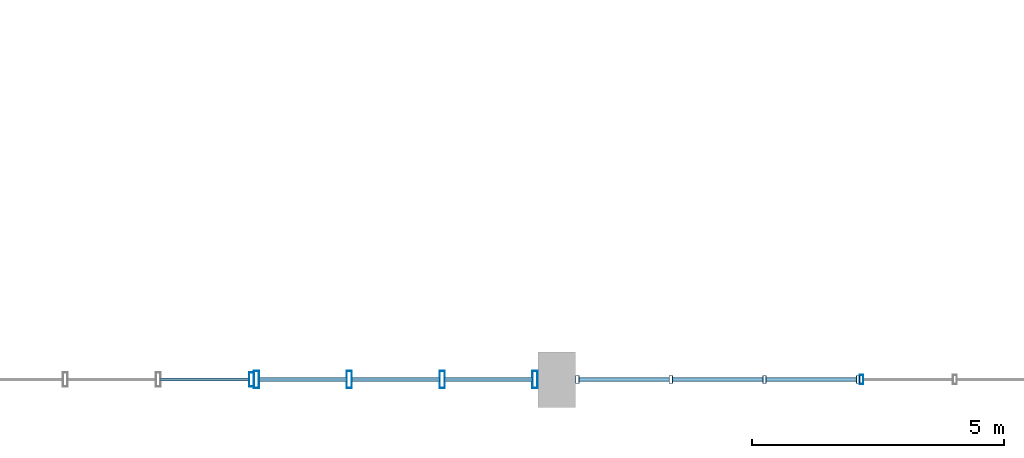
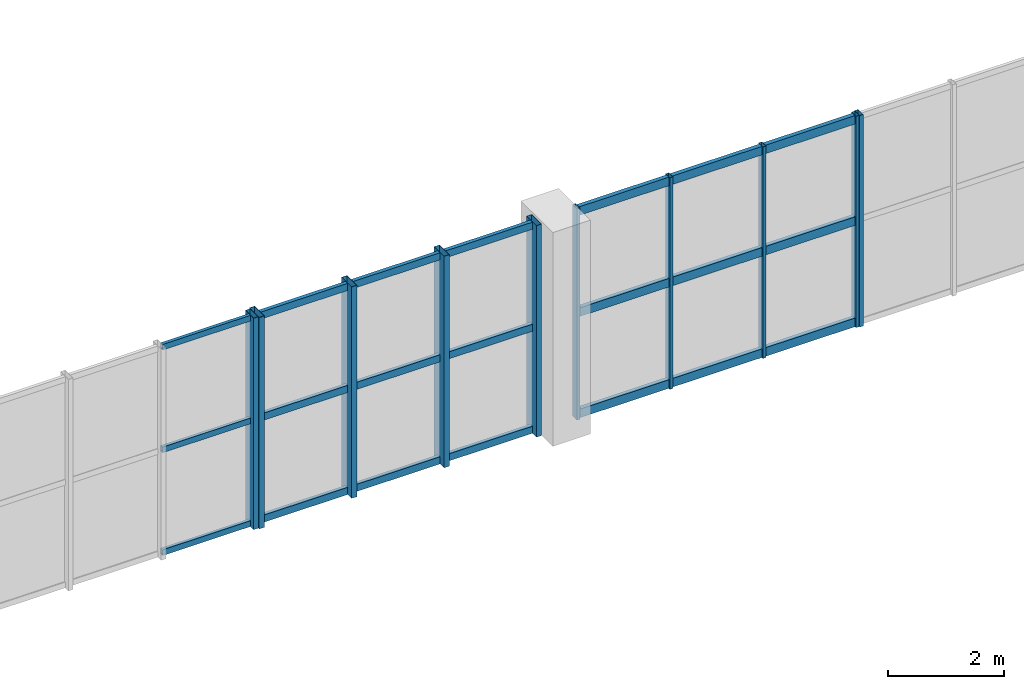
# One storey, part 19 of 48: 31 members, 4 elements without a shape of their own.
"""IFC4 building model written with IfcOpenShell, lengths in metres."""

import ifcopenshell
import ifcopenshell.guid

model = None  # the IFC model being written
_history = None  # IfcOwnerHistory: only IFC2X3 demands one
_inside = {}  # id of a spatial element -> (the spatial element, [elements in it])
_under = {}  # id of a project, library or spatial element -> (it, [spatial elements below it])
_declared = {}  # id of a project -> (the project, [libraries it declares])
_typed = {}  # id of a type object -> (the type object, [elements of that type])
_made_of = {}  # id of a material, layer set ... -> (it, [elements and type objects made of it])


def new_model(schema):
    """Start an empty IFC model of exactly this schema.

    Asked for "IFC4X3", IfcOpenShell would pick the latest addendum, in which some entities
    have other attributes; the version numbers below select the first issue.
    IFC2X3 requires an IfcOwnerHistory on every rooted entity: one is made here for all.
    """
    global model, _history
    if schema == "IFC4X3":
        model = ifcopenshell.file(schema_version=(4, 3, 0, 0))
    else:
        model = ifcopenshell.file(schema=schema)
    _inside.clear()
    _under.clear()
    _declared.clear()
    _typed.clear()
    _made_of.clear()
    _history = None
    if model.schema == "IFC2X3":
        org = make("IfcOrganization", Name="unknown")
        user = make(
            "IfcPersonAndOrganization",
            ThePerson=make("IfcPerson", FamilyName="unknown"),
            TheOrganization=org,
        )
        app = make(
            "IfcApplication",
            ApplicationDeveloper=org,
            Version="unknown",
            ApplicationFullName="unknown",
            ApplicationIdentifier="unknown",
        )
        _history = make(
            "IfcOwnerHistory",
            OwningUser=user,
            OwningApplication=app,
            ChangeAction="ADDED",
            CreationDate=0,
        )
    return model


def make(cls, **values):
    """One entity of the class cls with the attributes given. An attribute that is None is left unset."""
    return model.create_entity(
        cls, **{name: value for name, value in values.items() if value is not None}
    )


def rooted(cls, **values):
    """An entity with a GlobalId (a new one), such as an element, a storey or a relation."""
    return make(cls, GlobalId=ifcopenshell.guid.new(), OwnerHistory=_history, **values)


def si_unit(unit_type, name, prefix=None):
    """IfcSIUnit, for example si_unit("LENGTHUNIT", "METRE", prefix="MILLI")."""
    return make("IfcSIUnit", UnitType=unit_type, Prefix=prefix, Name=name)


def assignment(units):
    """IfcUnitAssignment: the units of a project."""
    return None if units is None else make("IfcUnitAssignment", Units=units)


def point(xyz):
    """IfcCartesianPoint."""
    return None if xyz is None else make("IfcCartesianPoint", Coordinates=xyz)


def direction(xyz):
    """IfcDirection."""
    return None if xyz is None else make("IfcDirection", DirectionRatios=xyz)


def frame(location, z_axis=None, x_axis=None):
    """IfcAxis2Placement3D, a coordinate frame: its origin and axes. An axis left out is left unset."""
    return make(
        "IfcAxis2Placement3D",
        Location=point(location),
        Axis=direction(z_axis),
        RefDirection=direction(x_axis),
    )


def frame_2d(location, x_axis=None):
    """IfcAxis2Placement2D, a coordinate frame in the plane: its origin and x axis."""
    return make(
        "IfcAxis2Placement2D", Location=point(location), RefDirection=direction(x_axis)
    )


def origin():
    """The frame at (0, 0, 0) with its axes left unset."""
    return frame((0.0, 0.0, 0.0))


def origin_2d():
    """The frame at (0, 0) in the plane with its x axis left unset."""
    return frame_2d((0.0, 0.0))


def place(relative_to, where):
    """IfcLocalPlacement: puts the frame where relative to a parent placement (None: the world)."""
    return make(
        "IfcLocalPlacement", PlacementRelTo=relative_to, RelativePlacement=where
    )


def context(
    kind, dimensions, precision=None, world=None, true_north=None, identifier=None
):
    """IfcGeometricRepresentationContext, for example the 3D "Model" context."""
    return make(
        "IfcGeometricRepresentationContext",
        ContextIdentifier=identifier,
        ContextType=kind,
        CoordinateSpaceDimension=dimensions,
        Precision=precision,
        WorldCoordinateSystem=world,
        TrueNorth=true_north,
    )


def subcontext(parent, identifier, kind, view, scale=None):
    """IfcGeometricRepresentationSubContext, for example "Body" below "Model"."""
    return make(
        "IfcGeometricRepresentationSubContext",
        ContextIdentifier=identifier,
        ContextType=kind,
        ParentContext=parent,
        TargetScale=scale,
        TargetView=view,
    )


def project(units=None, contexts=None):
    """IfcProject with its units and contexts."""
    return rooted(
        "IfcProject",
        Name="project",
        RepresentationContexts=contexts,
        UnitsInContext=assignment(units),
    )


def spatial(cls, under=None, at=None, **own):
    """A site, building, storey or space (cls), placed at a placement, below another one or the project."""
    s = rooted(cls, ObjectPlacement=at, **own)
    if under is not None:
        _under.setdefault(under.id(), (under, []))[1].append(s)
    return s


def profile(cls, at=None, kind="AREA", **sizes):
    """A parametric profile (cls). Its sizes go by their IFC names, for example OverallWidth=200.0."""
    return make(cls, ProfileType=kind, Position=at, **sizes)


def hollow_rectangle(**sizes):
    """IfcRectangleHollowProfileDef."""
    return profile("IfcRectangleHollowProfileDef", **sizes)


def extrude(swept, where, along, depth):
    """IfcExtrudedAreaSolid: the profile swept, set in the frame where, extruded along a direction by depth."""
    return make(
        "IfcExtrudedAreaSolid",
        SweptArea=swept,
        Position=where,
        ExtrudedDirection=direction(along),
        Depth=depth,
    )


def shape(context_of_items, identifier, shape_type, items):
    """IfcShapeRepresentation: the items that make up one representation, for example the "Body"."""
    return make(
        "IfcShapeRepresentation",
        ContextOfItems=context_of_items,
        RepresentationIdentifier=identifier,
        RepresentationType=shape_type,
        Items=items,
    )


def material(Name=None, Category=None):
    """IfcMaterial."""
    return make("IfcMaterial", Name=Name, Category=Category)


def layer(
    of_material, thickness, ventilated=None, Name=None, Category=None, Priority=None
):
    """IfcMaterialLayer: one layer of a wall or slab, of a material (None: an air gap)."""
    return make(
        "IfcMaterialLayer",
        Material=of_material,
        LayerThickness=thickness,
        IsVentilated=ventilated,
        Name=Name,
        Category=Category,
        Priority=Priority,
    )


def layer_set(layers, Name=None):
    """IfcMaterialLayerSet."""
    return make("IfcMaterialLayerSet", MaterialLayers=layers, LayerSetName=Name)


def material_profile(
    of_material, cross_section, Name=None, Category=None, Priority=None
):
    """IfcMaterialProfile: a cross section and its material."""
    return make(
        "IfcMaterialProfile",
        Name=Name,
        Material=of_material,
        Profile=cross_section,
        Priority=Priority,
        Category=Category,
    )


def profile_set(profiles, Name=None, composite=None):
    """IfcMaterialProfileSet."""
    return make(
        "IfcMaterialProfileSet",
        Name=Name,
        MaterialProfiles=profiles,
        CompositeProfile=composite,
    )


def made_of(thing, what):
    """Note that an element or type object is made of a material, layer set ...; save() writes the relation."""
    if what is not None:
        _made_of.setdefault(what.id(), (what, []))[1].append(thing)
    return thing


def type_object(cls, material=None, **own):
    """A type object (cls), such as IfcWallType, which elements share."""
    return made_of(rooted(cls, **own), material)


def element(
    cls,
    number,
    at=None,
    inside=None,
    cuts=None,
    type_object=None,
    material=None,
    context=None,
    identifier="Body",
    shape_type=None,
    held_by="IfcProductDefinitionShape",
    body=None,
    shapes=None,
    **own,
):
    """One element of the class cls, such as IfcWall. Its Tag is "e" and its number.

    at: its placement. inside: the storey or other place that contains it. cuts: it is an
    opening in that element (IfcRelVoidsElement). A single representation is given by context,
    identifier, shape_type and body (its items); several are given by shapes. held_by: the class
    of the entity that holds the representations. save() writes the other relations.
    """
    e = rooted(cls, Tag="e%d" % number, ObjectPlacement=at, **own)
    if body is not None:
        shapes = [shape(context, identifier, shape_type, body)]
    if shapes is not None:
        e.Representation = make(held_by, Representations=shapes)
    if inside is not None:
        _inside.setdefault(inside.id(), (inside, []))[1].append(e)
    if cuts is not None:
        rooted(
            "IfcRelVoidsElement", RelatingBuildingElement=cuts, RelatedOpeningElement=e
        )
    if type_object is not None:
        _typed.setdefault(type_object.id(), (type_object, []))[1].append(e)
    return made_of(e, material)


def aggregate(whole, parts):
    """IfcRelAggregates: a whole, such as a stair, and the parts it consists of."""
    return rooted("IfcRelAggregates", RelatingObject=whole, RelatedObjects=parts)


def save(model, path):
    """Write the relations noted so far, then the file.

    IfcRelAggregates (storeys below a building ...), IfcRelContainedInSpatialStructure (elements
    in a storey), IfcRelDefinesByType, IfcRelAssociatesMaterial and IfcRelDeclares: one each for
    every whole, place, type object, material and project.
    """
    for whole, parts in _under.values():
        aggregate(whole, parts)
    for where, things in _inside.values():
        rooted(
            "IfcRelContainedInSpatialStructure",
            RelatedElements=things,
            RelatingStructure=where,
        )
    for kind, things in _typed.values():
        rooted("IfcRelDefinesByType", RelatedObjects=things, RelatingType=kind)
    for what, things in _made_of.values():
        rooted("IfcRelAssociatesMaterial", RelatedObjects=things, RelatingMaterial=what)
    for by, libraries in _declared.values():
        rooted("IfcRelDeclares", RelatingContext=by, RelatedDefinitions=libraries)
    model.write(path)


model = new_model("IFC4")

# Units and contexts
model_context = context("Model", 3, precision=1e-05, world=origin(), true_north=direction((0.0, 1.0)))
body_context = subcontext(model_context, "Body", "Model", "MODEL_VIEW")
ifc_project = project(units=[si_unit("LENGTHUNIT", "METRE"), si_unit("AREAUNIT", "SQUARE_METRE"), si_unit("VOLUMEUNIT", "CUBIC_METRE"), si_unit("PLANEANGLEUNIT", "RADIAN"), si_unit("MASSUNIT", "GRAM", prefix="KILO"), si_unit("POWERUNIT", "WATT"), si_unit("THERMODYNAMICTEMPERATUREUNIT", "KELVIN")], contexts=[model_context])

# Site, building, storey
site_placement = place(None, origin())
site = spatial("IfcSite", under=ifc_project, at=site_placement, CompositionType="ELEMENT")
building_placement = place(site_placement, origin())
building = spatial("IfcBuilding", under=site, at=building_placement, Name="Kelmbourne Parkland Aquatics Centre", CompositionType="ELEMENT")
storey_placement = place(building_placement, frame((0.0, 0.0, 14.699951171875)))
storey = spatial("IfcBuildingStorey", under=building, at=storey_placement, Name="L03", CompositionType="ELEMENT", Elevation=14.699951171875)

# Curtain wall, members
ifc_material = material(Name="Thermally broken anodised aluminium framing", Category="aluminium")
ifc_layer_1 = layer(ifc_material, 0.179931640625)
ifc_layer_set_1 = layer_set([ifc_layer_1], Name="Thermally broken anodised aluminium framing")
curtain_wall_type_1 = type_object("IfcCurtainWallType", Name="CW-05", PredefinedType="NOTDEFINED", material=ifc_layer_set_1)
curtain_wall_1_placement = place(storey_placement, origin())
curtain_wall_1 = element("IfcCurtainWall", 1, at=curtain_wall_1_placement, inside=storey, type_object=curtain_wall_type_1, Name="Wave-hall clerestory curtain wall CW-L03-125", PredefinedType="NOTDEFINED")
ifc_material_profile_1 = material_profile(ifc_material, hollow_rectangle(XDim=0.06494140625, YDim=0.14990234375, WallThickness=0.00390625, at=origin_2d()), Name="CW-M 65x150")
ifc_profile_set_1 = profile_set([ifc_material_profile_1], Name="Thermally broken anodised aluminium framing")
member_type_1 = type_object("IfcMemberType", Name="MB-MUL-1", PredefinedType="MULLION", material=ifc_profile_set_1)
member_1_placement = place(storey_placement, frame((152.409423828125, 0.800048828125, 0.0), z_axis=(0.0, 0.0, 1.0), x_axis=(1.0, 0.0, 0.0)))
member_1 = element("IfcMember", 2, at=member_1_placement, type_object=member_type_1, Name="CW-L03-125 mullion 0", PredefinedType="MULLION", context=body_context, shape_type="SweptSolid", body=[
    extrude(hollow_rectangle(XDim=0.06494140625, YDim=0.14990234375, WallThickness=0.00390625, at=origin_2d()), origin(), (0.0, 0.0, 1.0), 4.449951171875),
])
member_2_placement = place(storey_placement, frame((154.26220703125, 0.800048828125, 0.0), z_axis=(0.0, 0.0, 1.0), x_axis=(1.0, 0.0, 0.0)))
member_2 = element("IfcMember", 3, at=member_2_placement, type_object=member_type_1, Name="CW-L03-125 mullion 1", PredefinedType="MULLION", context=body_context, shape_type="SweptSolid", body=[
    extrude(hollow_rectangle(XDim=0.06494140625, YDim=0.14990234375, WallThickness=0.00390625, at=origin_2d()), origin(), (0.0, 0.0, 1.0), 4.449951171875),
])
member_3_placement = place(storey_placement, frame((156.11474609375, 0.800048828125, 0.0), z_axis=(0.0, 0.0, 1.0), x_axis=(1.0, 0.0, 0.0)))
member_3 = element("IfcMember", 4, at=member_3_placement, type_object=member_type_1, Name="CW-L03-125 mullion 2", PredefinedType="MULLION", context=body_context, shape_type="SweptSolid", body=[
    extrude(hollow_rectangle(XDim=0.06494140625, YDim=0.14990234375, WallThickness=0.00390625, at=origin_2d()), origin(), (0.0, 0.0, 1.0), 4.449951171875),
])
member_4_placement = place(storey_placement, frame((157.967529296875, 0.800048828125, 0.0), z_axis=(0.0, 0.0, 1.0), x_axis=(1.0, 0.0, 0.0)))
member_4 = element("IfcMember", 5, at=member_4_placement, type_object=member_type_1, Name="CW-L03-125 mullion 3", PredefinedType="MULLION", context=body_context, shape_type="SweptSolid", body=[
    extrude(hollow_rectangle(XDim=0.06494140625, YDim=0.14990234375, WallThickness=0.00390625, at=origin_2d()), origin(), (0.0, 0.0, 1.0), 4.449951171875),
])

# Curtain wall, member
ifc_layer_2 = layer(ifc_material, 0.179931640625)
ifc_layer_set_2 = layer_set([ifc_layer_2], Name="Thermally broken anodised aluminium framing")
curtain_wall_type_2 = type_object("IfcCurtainWallType", Name="CW-06", PredefinedType="NOTDEFINED", material=ifc_layer_set_2)
curtain_wall_2_placement = place(storey_placement, origin())
curtain_wall_2 = element("IfcCurtainWall", 6, at=curtain_wall_2_placement, inside=storey, type_object=curtain_wall_type_2, Name="Wave-hall clerestory curtain wall CW-L03-126", PredefinedType="NOTDEFINED")
ifc_material_profile_2 = material_profile(ifc_material, hollow_rectangle(XDim=0.074951171875, YDim=0.179931640625, WallThickness=0.00439453125, at=origin_2d()), Name="CW-M 75x180")
ifc_profile_set_2 = profile_set([ifc_material_profile_2], Name="Thermally broken anodised aluminium framing")
member_type_2 = type_object("IfcMemberType", Name="MB-MUL-2", PredefinedType="MULLION", material=ifc_profile_set_2)
member_5_placement = place(storey_placement, frame((158.03759765625, 0.800048828125, 0.0), z_axis=(0.0, 0.0, 1.0), x_axis=(1.0, 0.0, 0.0)))
member_5 = element("IfcMember", 7, at=member_5_placement, type_object=member_type_2, Name="CW-L03-126 mullion 0", PredefinedType="MULLION", context=body_context, shape_type="SweptSolid", body=[
    extrude(hollow_rectangle(XDim=0.074951171875, YDim=0.179931640625, WallThickness=0.00439453125, at=origin_2d()), origin(), (0.0, 0.0, 1.0), 4.449951171875),
])
aggregate(curtain_wall_2, [member_5])

ifc_layer_3 = layer(ifc_material, 0.179931640625)
ifc_layer_set_3 = layer_set([ifc_layer_3], Name="Thermally broken anodised aluminium framing")
curtain_wall_type_3 = type_object("IfcCurtainWallType", Name="CW-03", PredefinedType="NOTDEFINED", material=ifc_layer_set_3)
curtain_wall_3_placement = place(storey_placement, origin())
curtain_wall_3 = element("IfcCurtainWall", 8, at=curtain_wall_3_placement, inside=storey, type_object=curtain_wall_type_3, Name="Wave-hall clerestory curtain wall CW-L03-123", PredefinedType="NOTDEFINED")
ifc_material_profile_3 = material_profile(ifc_material, hollow_rectangle(XDim=0.094970703125, YDim=0.280029296875, WallThickness=0.005615234375, at=origin_2d()), Name="CW-M 95x280")
ifc_profile_set_3 = profile_set([ifc_material_profile_3], Name="Thermally broken anodised aluminium framing")
member_type_3 = type_object("IfcMemberType", Name="MB-MUL-4", PredefinedType="MULLION", material=ifc_profile_set_3)
member_6_placement = place(storey_placement, frame((145.952392578125, 0.800048828125, 0.0), z_axis=(0.0, 0.0, 1.0), x_axis=(1.0, 0.0, 0.0)))
member_6 = element("IfcMember", 9, at=member_6_placement, type_object=member_type_3, Name="CW-L03-123 mullion 3", PredefinedType="MULLION", context=body_context, shape_type="SweptSolid", body=[
    extrude(hollow_rectangle(XDim=0.094970703125, YDim=0.280029296875, WallThickness=0.005615234375, at=origin_2d()), origin(), (0.0, 0.0, 1.0), 4.449951171875),
])

# Curtain wall, members
ifc_layer_4 = layer(ifc_material, 0.179931640625)
ifc_layer_set_4 = layer_set([ifc_layer_4], Name="Thermally broken anodised aluminium framing")
curtain_wall_type_4 = type_object("IfcCurtainWallType", Name="CW-04", PredefinedType="NOTDEFINED", material=ifc_layer_set_4)
curtain_wall_4_placement = place(storey_placement, origin())
curtain_wall_4 = element("IfcCurtainWall", 10, at=curtain_wall_4_placement, inside=storey, type_object=curtain_wall_type_4, Name="Wave-hall clerestory curtain wall CW-L03-124", PredefinedType="NOTDEFINED")
ifc_material_profile_4 = material_profile(ifc_material, hollow_rectangle(XDim=0.10498046875, YDim=0.340087890625, WallThickness=0.006103515625, at=origin_2d()), Name="CW-M 105x340")
ifc_profile_set_4 = profile_set([ifc_material_profile_4], Name="Thermally broken anodised aluminium framing")
member_type_4 = type_object("IfcMemberType", Name="MB-MUL-5", PredefinedType="MULLION", material=ifc_profile_set_4)
member_7_placement = place(storey_placement, frame((146.052490234375, 0.800048828125, 0.0), z_axis=(0.0, 0.0, 1.0), x_axis=(1.0, 0.0, 0.0)))
member_7 = element("IfcMember", 11, at=member_7_placement, type_object=member_type_4, Name="CW-L03-124 mullion 0", PredefinedType="MULLION", context=body_context, shape_type="SweptSolid", body=[
    extrude(hollow_rectangle(XDim=0.10498046875, YDim=0.340087890625, WallThickness=0.006103515625, at=origin_2d()), origin(), (0.0, 0.0, 1.0), 4.449951171875),
])
member_8_placement = place(storey_placement, frame((147.891845703125, 0.800048828125, 0.0), z_axis=(0.0, 0.0, 1.0), x_axis=(1.0, 0.0, 0.0)))
member_8 = element("IfcMember", 12, at=member_8_placement, type_object=member_type_4, Name="CW-L03-124 mullion 1", PredefinedType="MULLION", context=body_context, shape_type="SweptSolid", body=[
    extrude(hollow_rectangle(XDim=0.10498046875, YDim=0.340087890625, WallThickness=0.006103515625, at=origin_2d()), origin(), (0.0, 0.0, 1.0), 4.449951171875),
])
member_9_placement = place(storey_placement, frame((149.731201171875, 0.800048828125, 0.0), z_axis=(0.0, 0.0, 1.0), x_axis=(1.0, 0.0, 0.0)))
member_9 = element("IfcMember", 13, at=member_9_placement, type_object=member_type_4, Name="CW-L03-124 mullion 2", PredefinedType="MULLION", context=body_context, shape_type="SweptSolid", body=[
    extrude(hollow_rectangle(XDim=0.10498046875, YDim=0.340087890625, WallThickness=0.006103515625, at=origin_2d()), origin(), (0.0, 0.0, 1.0), 4.449951171875),
])
member_10_placement = place(storey_placement, frame((151.570556640625, 0.800048828125, 0.0), z_axis=(0.0, 0.0, 1.0), x_axis=(1.0, 0.0, 0.0)))
member_10 = element("IfcMember", 14, at=member_10_placement, type_object=member_type_4, Name="CW-L03-124 mullion 3", PredefinedType="MULLION", context=body_context, shape_type="SweptSolid", body=[
    extrude(hollow_rectangle(XDim=0.10498046875, YDim=0.340087890625, WallThickness=0.006103515625, at=origin_2d()), origin(), (0.0, 0.0, 1.0), 4.449951171875),
])

# Member
ifc_material_profile_5 = material_profile(ifc_material, hollow_rectangle(XDim=0.06494140625, YDim=0.1201171875, WallThickness=0.00341796875, at=origin_2d()), Name="CW-T 65x120")
ifc_profile_set_5 = profile_set([ifc_material_profile_5], Name="Thermally broken anodised aluminium framing")
member_type_5 = type_object("IfcMemberType", Name="MB-TRN-1", PredefinedType="USERDEFINED", material=ifc_profile_set_5)
member_11_placement = place(storey_placement, frame((144.1533203125, 0.800048828125, 0.06298828125), z_axis=(1.0, 0.0, 0.0), x_axis=(0.0, 1.0, 0.0)))
member_11 = element("IfcMember", 15, at=member_11_placement, type_object=member_type_5, Name="CW-L03-123 transom 0-2", ObjectType="TRANSOM", PredefinedType="USERDEFINED", context=body_context, shape_type="SweptSolid", body=[
    extrude(hollow_rectangle(XDim=0.06494140625, YDim=0.1201171875, WallThickness=0.00341796875, at=origin_2d()), origin(), (0.0, 0.0, 1.0), 1.755615234375),
])

member_12_placement = place(storey_placement, frame((144.1533203125, 0.800048828125, 2.22509765625), z_axis=(1.0, 0.0, 0.0), x_axis=(0.0, 1.0, 0.0)))
member_12 = element("IfcMember", 16, at=member_12_placement, type_object=member_type_5, Name="CW-L03-123 transom 1-2", ObjectType="TRANSOM", PredefinedType="USERDEFINED", context=body_context, shape_type="SweptSolid", body=[
    extrude(hollow_rectangle(XDim=0.06494140625, YDim=0.1201171875, WallThickness=0.00341796875, at=origin_2d()), origin(), (0.0, 0.0, 1.0), 1.755615234375),
])

member_13_placement = place(storey_placement, frame((144.1533203125, 0.800048828125, 4.386962890625), z_axis=(1.0, 0.0, 0.0), x_axis=(0.0, 1.0, 0.0)))
member_13 = element("IfcMember", 17, at=member_13_placement, type_object=member_type_5, Name="CW-L03-123 transom 2-2", ObjectType="TRANSOM", PredefinedType="USERDEFINED", context=body_context, shape_type="SweptSolid", body=[
    extrude(hollow_rectangle(XDim=0.06494140625, YDim=0.1201171875, WallThickness=0.00341796875, at=origin_2d()), origin(), (0.0, 0.0, 1.0), 1.755615234375),
])

aggregate(curtain_wall_3, [member_6, member_11, member_12, member_13])

ifc_material_profile_6 = material_profile(ifc_material, hollow_rectangle(XDim=0.074951171875, YDim=0.14990234375, WallThickness=0.00390625, at=origin_2d()), Name="CW-T 75x150")
ifc_profile_set_6 = profile_set([ifc_material_profile_6], Name="Thermally broken anodised aluminium framing")
member_type_6 = type_object("IfcMemberType", Name="MB-TRN-2", PredefinedType="USERDEFINED", material=ifc_profile_set_6)
member_14_placement = place(storey_placement, frame((146.10107421875, 0.800048828125, 0.078125), z_axis=(1.0, 0.0, 0.0), x_axis=(0.0, 1.0, 0.0)))
member_14 = element("IfcMember", 18, at=member_14_placement, type_object=member_type_6, Name="CW-L03-124 transom 0-0", ObjectType="TRANSOM", PredefinedType="USERDEFINED", context=body_context, shape_type="SweptSolid", body=[
    extrude(hollow_rectangle(XDim=0.074951171875, YDim=0.14990234375, WallThickness=0.00390625, at=origin_2d()), origin(), (0.0, 0.0, 1.0), 1.7421875),
])

member_15_placement = place(storey_placement, frame((147.940185546875, 0.800048828125, 0.078125), z_axis=(1.0, 0.0, 0.0), x_axis=(0.0, 1.0, 0.0)))
member_15 = element("IfcMember", 19, at=member_15_placement, type_object=member_type_6, Name="CW-L03-124 transom 0-1", ObjectType="TRANSOM", PredefinedType="USERDEFINED", context=body_context, shape_type="SweptSolid", body=[
    extrude(hollow_rectangle(XDim=0.074951171875, YDim=0.14990234375, WallThickness=0.00390625, at=origin_2d()), origin(), (0.0, 0.0, 1.0), 1.742431640625),
])

member_16_placement = place(storey_placement, frame((149.77978515625, 0.800048828125, 0.078125), z_axis=(1.0, 0.0, 0.0), x_axis=(0.0, 1.0, 0.0)))
member_16 = element("IfcMember", 20, at=member_16_placement, type_object=member_type_6, Name="CW-L03-124 transom 0-2", ObjectType="TRANSOM", PredefinedType="USERDEFINED", context=body_context, shape_type="SweptSolid", body=[
    extrude(hollow_rectangle(XDim=0.074951171875, YDim=0.14990234375, WallThickness=0.00390625, at=origin_2d()), origin(), (0.0, 0.0, 1.0), 1.7421875),
])

member_17_placement = place(storey_placement, frame((146.10107421875, 0.800048828125, 2.22509765625), z_axis=(1.0, 0.0, 0.0), x_axis=(0.0, 1.0, 0.0)))
member_17 = element("IfcMember", 21, at=member_17_placement, type_object=member_type_6, Name="CW-L03-124 transom 1-0", ObjectType="TRANSOM", PredefinedType="USERDEFINED", context=body_context, shape_type="SweptSolid", body=[
    extrude(hollow_rectangle(XDim=0.074951171875, YDim=0.14990234375, WallThickness=0.00390625, at=origin_2d()), origin(), (0.0, 0.0, 1.0), 1.7421875),
])

member_18_placement = place(storey_placement, frame((147.940185546875, 0.800048828125, 2.22509765625), z_axis=(1.0, 0.0, 0.0), x_axis=(0.0, 1.0, 0.0)))
member_18 = element("IfcMember", 22, at=member_18_placement, type_object=member_type_6, Name="CW-L03-124 transom 1-1", ObjectType="TRANSOM", PredefinedType="USERDEFINED", context=body_context, shape_type="SweptSolid", body=[
    extrude(hollow_rectangle(XDim=0.074951171875, YDim=0.14990234375, WallThickness=0.00390625, at=origin_2d()), origin(), (0.0, 0.0, 1.0), 1.742431640625),
])

member_19_placement = place(storey_placement, frame((149.77978515625, 0.800048828125, 2.22509765625), z_axis=(1.0, 0.0, 0.0), x_axis=(0.0, 1.0, 0.0)))
member_19 = element("IfcMember", 23, at=member_19_placement, type_object=member_type_6, Name="CW-L03-124 transom 1-2", ObjectType="TRANSOM", PredefinedType="USERDEFINED", context=body_context, shape_type="SweptSolid", body=[
    extrude(hollow_rectangle(XDim=0.074951171875, YDim=0.14990234375, WallThickness=0.00390625, at=origin_2d()), origin(), (0.0, 0.0, 1.0), 1.7421875),
])

member_20_placement = place(storey_placement, frame((146.10107421875, 0.800048828125, 4.3720703125), z_axis=(1.0, 0.0, 0.0), x_axis=(0.0, 1.0, 0.0)))
member_20 = element("IfcMember", 24, at=member_20_placement, type_object=member_type_6, Name="CW-L03-124 transom 2-0", ObjectType="TRANSOM", PredefinedType="USERDEFINED", context=body_context, shape_type="SweptSolid", body=[
    extrude(hollow_rectangle(XDim=0.074951171875, YDim=0.14990234375, WallThickness=0.00390625, at=origin_2d()), origin(), (0.0, 0.0, 1.0), 1.7421875),
])

member_21_placement = place(storey_placement, frame((147.940185546875, 0.800048828125, 4.3720703125), z_axis=(1.0, 0.0, 0.0), x_axis=(0.0, 1.0, 0.0)))
member_21 = element("IfcMember", 25, at=member_21_placement, type_object=member_type_6, Name="CW-L03-124 transom 2-1", ObjectType="TRANSOM", PredefinedType="USERDEFINED", context=body_context, shape_type="SweptSolid", body=[
    extrude(hollow_rectangle(XDim=0.074951171875, YDim=0.14990234375, WallThickness=0.00390625, at=origin_2d()), origin(), (0.0, 0.0, 1.0), 1.742431640625),
])

member_22_placement = place(storey_placement, frame((149.77978515625, 0.800048828125, 4.3720703125), z_axis=(1.0, 0.0, 0.0), x_axis=(0.0, 1.0, 0.0)))
member_22 = element("IfcMember", 26, at=member_22_placement, type_object=member_type_6, Name="CW-L03-124 transom 2-2", ObjectType="TRANSOM", PredefinedType="USERDEFINED", context=body_context, shape_type="SweptSolid", body=[
    extrude(hollow_rectangle(XDim=0.074951171875, YDim=0.14990234375, WallThickness=0.00390625, at=origin_2d()), origin(), (0.0, 0.0, 1.0), 1.7421875),
])

aggregate(curtain_wall_4, [member_7, member_8, member_9, member_10, member_14, member_15, member_16, member_17, member_18, member_19, member_20, member_21, member_22])

ifc_material_profile_7 = material_profile(ifc_material, hollow_rectangle(XDim=0.0849609375, YDim=0.179931640625, WallThickness=0.00439453125, at=origin_2d()), Name="CW-T 85x180")
ifc_profile_set_7 = profile_set([ifc_material_profile_7], Name="Thermally broken anodised aluminium framing")
member_type_7 = type_object("IfcMemberType", Name="MB-TRN-3", PredefinedType="USERDEFINED", material=ifc_profile_set_7)
member_23_placement = place(storey_placement, frame((152.43798828125, 0.800048828125, 0.093017578125), z_axis=(1.0, 0.0, 0.0), x_axis=(0.0, 1.0, 0.0)))
member_23 = element("IfcMember", 27, at=member_23_placement, type_object=member_type_7, Name="CW-L03-125 transom 0-0", ObjectType="TRANSOM", PredefinedType="USERDEFINED", context=body_context, shape_type="SweptSolid", body=[
    extrude(hollow_rectangle(XDim=0.0849609375, YDim=0.179931640625, WallThickness=0.00439453125, at=origin_2d()), origin(), (0.0, 0.0, 1.0), 1.795654296875),
])

member_24_placement = place(storey_placement, frame((154.290771484375, 0.800048828125, 0.093017578125), z_axis=(1.0, 0.0, 0.0), x_axis=(0.0, 1.0, 0.0)))
member_24 = element("IfcMember", 28, at=member_24_placement, type_object=member_type_7, Name="CW-L03-125 transom 0-1", ObjectType="TRANSOM", PredefinedType="USERDEFINED", context=body_context, shape_type="SweptSolid", body=[
    extrude(hollow_rectangle(XDim=0.0849609375, YDim=0.179931640625, WallThickness=0.00439453125, at=origin_2d()), origin(), (0.0, 0.0, 1.0), 1.79541015625),
])

member_25_placement = place(storey_placement, frame((156.143310546875, 0.800048828125, 0.093017578125), z_axis=(1.0, 0.0, 0.0), x_axis=(0.0, 1.0, 0.0)))
member_25 = element("IfcMember", 29, at=member_25_placement, type_object=member_type_7, Name="CW-L03-125 transom 0-2", ObjectType="TRANSOM", PredefinedType="USERDEFINED", context=body_context, shape_type="SweptSolid", body=[
    extrude(hollow_rectangle(XDim=0.0849609375, YDim=0.179931640625, WallThickness=0.00439453125, at=origin_2d()), origin(), (0.0, 0.0, 1.0), 1.795654296875),
])

member_26_placement = place(storey_placement, frame((152.43798828125, 0.800048828125, 2.22509765625), z_axis=(1.0, 0.0, 0.0), x_axis=(0.0, 1.0, 0.0)))
member_26 = element("IfcMember", 30, at=member_26_placement, type_object=member_type_7, Name="CW-L03-125 transom 1-0", ObjectType="TRANSOM", PredefinedType="USERDEFINED", context=body_context, shape_type="SweptSolid", body=[
    extrude(hollow_rectangle(XDim=0.0849609375, YDim=0.179931640625, WallThickness=0.00439453125, at=origin_2d()), origin(), (0.0, 0.0, 1.0), 1.795654296875),
])

member_27_placement = place(storey_placement, frame((154.290771484375, 0.800048828125, 2.22509765625), z_axis=(1.0, 0.0, 0.0), x_axis=(0.0, 1.0, 0.0)))
member_27 = element("IfcMember", 31, at=member_27_placement, type_object=member_type_7, Name="CW-L03-125 transom 1-1", ObjectType="TRANSOM", PredefinedType="USERDEFINED", context=body_context, shape_type="SweptSolid", body=[
    extrude(hollow_rectangle(XDim=0.0849609375, YDim=0.179931640625, WallThickness=0.00439453125, at=origin_2d()), origin(), (0.0, 0.0, 1.0), 1.79541015625),
])

member_28_placement = place(storey_placement, frame((156.143310546875, 0.800048828125, 2.22509765625), z_axis=(1.0, 0.0, 0.0), x_axis=(0.0, 1.0, 0.0)))
member_28 = element("IfcMember", 32, at=member_28_placement, type_object=member_type_7, Name="CW-L03-125 transom 1-2", ObjectType="TRANSOM", PredefinedType="USERDEFINED", context=body_context, shape_type="SweptSolid", body=[
    extrude(hollow_rectangle(XDim=0.0849609375, YDim=0.179931640625, WallThickness=0.00439453125, at=origin_2d()), origin(), (0.0, 0.0, 1.0), 1.795654296875),
])

member_29_placement = place(storey_placement, frame((152.43798828125, 0.800048828125, 4.35693359375), z_axis=(1.0, 0.0, 0.0), x_axis=(0.0, 1.0, 0.0)))
member_29 = element("IfcMember", 33, at=member_29_placement, type_object=member_type_7, Name="CW-L03-125 transom 2-0", ObjectType="TRANSOM", PredefinedType="USERDEFINED", context=body_context, shape_type="SweptSolid", body=[
    extrude(hollow_rectangle(XDim=0.0849609375, YDim=0.179931640625, WallThickness=0.00439453125, at=origin_2d()), origin(), (0.0, 0.0, 1.0), 1.795654296875),
])

member_30_placement = place(storey_placement, frame((154.290771484375, 0.800048828125, 4.35693359375), z_axis=(1.0, 0.0, 0.0), x_axis=(0.0, 1.0, 0.0)))
member_30 = element("IfcMember", 34, at=member_30_placement, type_object=member_type_7, Name="CW-L03-125 transom 2-1", ObjectType="TRANSOM", PredefinedType="USERDEFINED", context=body_context, shape_type="SweptSolid", body=[
    extrude(hollow_rectangle(XDim=0.0849609375, YDim=0.179931640625, WallThickness=0.00439453125, at=origin_2d()), origin(), (0.0, 0.0, 1.0), 1.79541015625),
])

member_31_placement = place(storey_placement, frame((156.143310546875, 0.800048828125, 4.35693359375), z_axis=(1.0, 0.0, 0.0), x_axis=(0.0, 1.0, 0.0)))
member_31 = element("IfcMember", 35, at=member_31_placement, type_object=member_type_7, Name="CW-L03-125 transom 2-2", ObjectType="TRANSOM", PredefinedType="USERDEFINED", context=body_context, shape_type="SweptSolid", body=[
    extrude(hollow_rectangle(XDim=0.0849609375, YDim=0.179931640625, WallThickness=0.00439453125, at=origin_2d()), origin(), (0.0, 0.0, 1.0), 1.795654296875),
])

aggregate(curtain_wall_1, [member_1, member_2, member_3, member_4, member_23, member_24, member_25, member_26, member_27, member_28, member_29, member_30, member_31])

save(model, "model.ifc")
